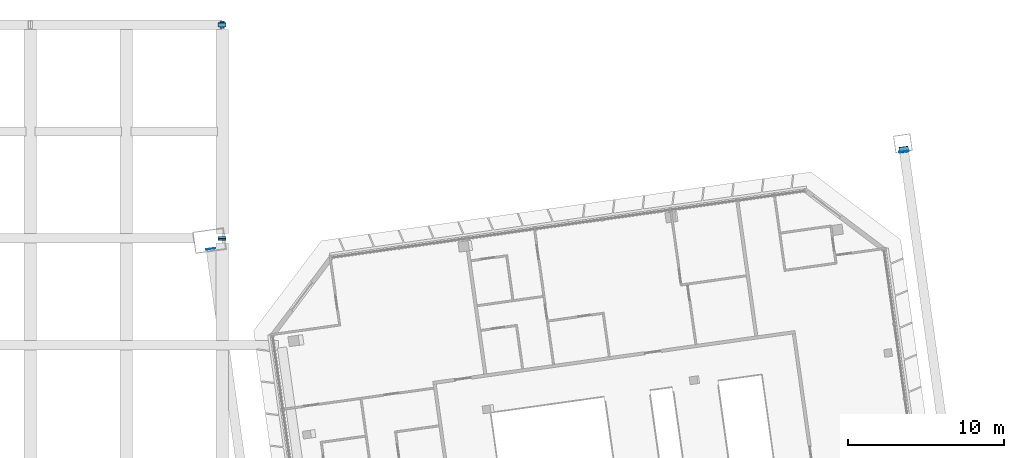
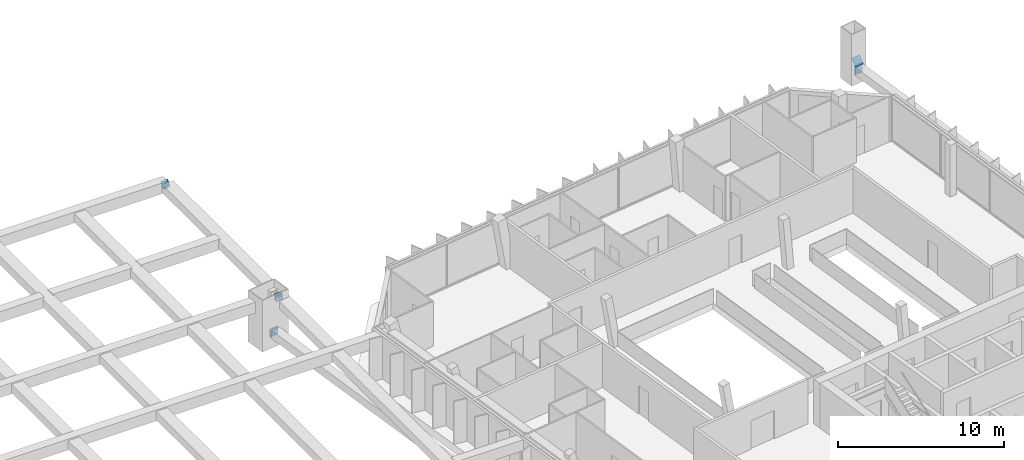
# One storey, part 34 of 36: 7 discrete accessories.
"""IFC4 building model written with IfcOpenShell, lengths in metres."""

from ifc_helpers import new_model, si_unit, direction, frame, origin, origin_2d, place, context, subcontext, project, spatial, rectangle, extrude, material, material_profile, profile_set, type_object, element, save


model = new_model("IFC4")

# Units and contexts
model_context = context("Model", 3, precision=1e-05, world=origin(), true_north=direction((0.0, 1.0)))
body_context = subcontext(model_context, "Body", "Model", "MODEL_VIEW")
ifc_project = project(units=[si_unit("LENGTHUNIT", "METRE"), si_unit("AREAUNIT", "SQUARE_METRE"), si_unit("VOLUMEUNIT", "CUBIC_METRE"), si_unit("PLANEANGLEUNIT", "RADIAN"), si_unit("MASSUNIT", "GRAM", prefix="KILO")], contexts=[model_context])

# Site, building, storey
site_placement = place(None, origin())
site = spatial("IfcSite", under=ifc_project, at=site_placement, CompositionType="ELEMENT")
building_placement = place(site_placement, origin())
building = spatial("IfcBuilding", under=site, at=building_placement, Name="Mirante Cascada Hotel Towers", CompositionType="ELEMENT")
storey_placement = place(building_placement, frame((0.0, 0.0, 254.6)))
storey = spatial("IfcBuildingStorey", under=building, at=storey_placement, Name="L61", CompositionType="ELEMENT", Elevation=254.6)

# Discrete accessories
ifc_material_1 = material(Name="Steel ASTM A572 Gr 50", Category="steel")
ifc_material_profile_1 = material_profile(ifc_material_1, rectangle(XDim=0.5, YDim=0.5, at=origin_2d()), Name="Connection plate 500x500x25 ASTM A572 Gr 50")
ifc_profile_set_1 = profile_set([ifc_material_profile_1], Name="Steel ASTM A572 Gr 50")
discrete_accessory_type_1 = type_object("IfcDiscreteAccessoryType", Name="Connection plate 500x500x25 ASTM A572 Gr 50", PredefinedType="BRACKET", material=ifc_profile_set_1)
for number, where, z_axis, x_axis, name in (
    (1, (12.2514, 16.7584, 2.8939), (0.0, -0.8726425, 0.4883596), (1.0, 0.0, 0.0), "Connection plate SP-D5"),
    (2, (12.2514, 16.7366, 2.8939), (0.0, 0.8726425, 0.4883596), (-1.0, 0.0, 0.0), "Connection plate SP-D5"),
    (3, (12.2514, 30.4251, 2.8939), (0.0, -0.8726425, 0.4883596), (1.0, 0.0, 0.0), "Connection plate SP-D5"),
):
    element("IfcDiscreteAccessory", number, at=place(storey_placement, frame(where, z_axis=z_axis, x_axis=x_axis)), inside=storey, type_object=discrete_accessory_type_1, Name=name, PredefinedType="BRACKET", context=body_context, shape_type="SweptSolid", body=[
        extrude(rectangle(XDim=0.5, YDim=0.5, at=origin_2d()), origin(), (0.0, 0.0, 1.0), 0.025),
    ])
discrete_accessory_placement = place(storey_placement, frame((12.262, 30.4142, 2.8934), z_axis=(-0.8500099, 0.0, 0.5267667), x_axis=(0.0, -1.0, 0.0)))
element("IfcDiscreteAccessory", 4, at=discrete_accessory_placement, inside=storey, type_object=discrete_accessory_type_1, Name="Connection plate SP-ETD", PredefinedType="BRACKET", context=body_context, shape_type="SweptSolid", body=[
    extrude(rectangle(XDim=0.5, YDim=0.5, at=origin_2d()), origin(), (0.0, 0.0, 1.0), 0.0251),
])
ifc_material_2 = material(Name="Steel ASTM A572 Gr 50", Category="steel")
ifc_material_profile_2 = material_profile(ifc_material_2, rectangle(XDim=0.6, YDim=0.6, at=origin_2d()), Name="Connection plate 600x600x25 ASTM A572 Gr 50")
ifc_profile_set_2 = profile_set([ifc_material_profile_2], Name="Steel ASTM A572 Gr 50")
discrete_accessory_type_2 = type_object("IfcDiscreteAccessoryType", Name="Connection plate 600x600x25 ASTM A572 Gr 50", PredefinedType="BRACKET", material=ifc_profile_set_2)
for number, where, z_axis, x_axis, name in (
    (5, (55.8513, 22.432, 1.5437), (0.1078268, -0.7747552, 0.622999), (0.9904536, 0.1378466, 0.0), "Connection plate MB-OL61R"),
    (6, (11.5267, 16.0623, 1.0), (-0.1358263, 0.9907327, 0.0), (-0.9907327, -0.1358263, 0.0), "Connection plate NCH"),
    (7, (55.8706, 22.2944, 1.0), (-0.1358263, 0.9907327, 0.0), (-0.9907327, -0.1358263, 0.0), "Connection plate NCH"),
):
    element("IfcDiscreteAccessory", number, at=place(storey_placement, frame(where, z_axis=z_axis, x_axis=x_axis)), inside=storey, type_object=discrete_accessory_type_2, Name=name, PredefinedType="BRACKET", context=body_context, shape_type="SweptSolid", body=[
        extrude(rectangle(XDim=0.6, YDim=0.6, at=origin_2d()), origin(), (0.0, 0.0, 1.0), 0.025),
    ])

save(model, "model.ifc")
